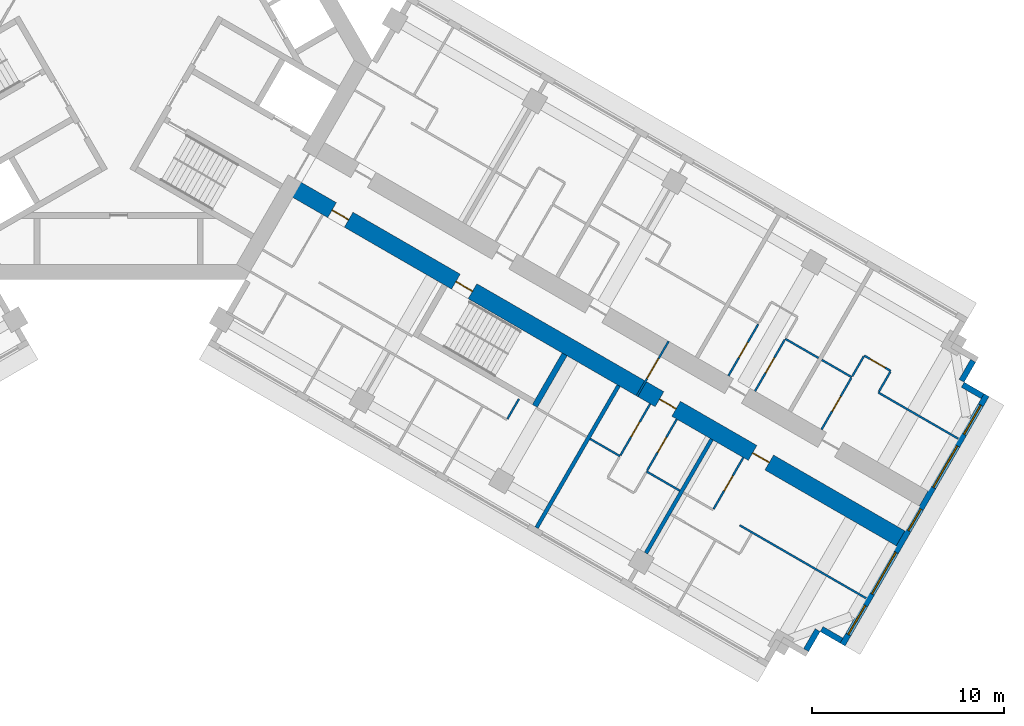
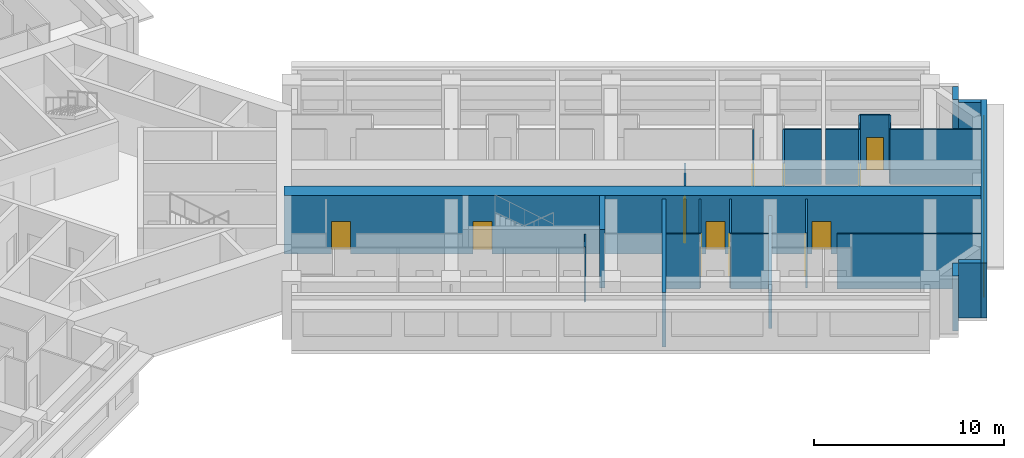
# One storey, part 11 of 15: 26 walls, 12 doors, 5 windows, 17 openings.
"""IFC4 building model written with IfcOpenShell, lengths in metres."""

from ifc_helpers import new_model, si_unit, direction, frame, frame_2d, origin, place, context, subcontext, project, spatial, rectangle, extrude, material, layer, layer_set, type_object, element, fill, save


model = new_model("IFC4")

# Units and contexts
model_context = context("Model", 3, precision=1e-05, world=origin(), true_north=direction((0.0, 1.0)))
body_context = subcontext(model_context, "Body", "Model", "MODEL_VIEW")
ifc_project = project(units=[si_unit("LENGTHUNIT", "METRE"), si_unit("AREAUNIT", "SQUARE_METRE"), si_unit("VOLUMEUNIT", "CUBIC_METRE"), si_unit("PLANEANGLEUNIT", "RADIAN"), si_unit("MASSUNIT", "GRAM", prefix="KILO")], contexts=[model_context])

# Site, building, storey
site_placement = place(None, origin())
site = spatial("IfcSite", under=ifc_project, at=site_placement, CompositionType="ELEMENT")
building_placement = place(site_placement, origin())
building = spatial("IfcBuilding", under=site, at=building_placement, Name="Impinga Residences", CompositionType="ELEMENT")
storey_placement = place(building_placement, frame((0.0, 0.0, 113.5)))
storey = spatial("IfcBuildingStorey", under=building, at=storey_placement, Name="L27", CompositionType="ELEMENT", Elevation=113.5)

# Wall, openings, doors
ifc_material_1 = material(Name="Concrete C60/75", Category="concrete")
ifc_layer_1 = layer(ifc_material_1, 0.89990234375)
ifc_layer_set_1 = layer_set([ifc_layer_1], Name="Concrete C60/75")
wall_type_1 = type_object("IfcWallType", Name="BW2 corridor buttress wall, L24 to L44 900", PredefinedType="SHEAR", material=ifc_layer_set_1)
wall_1_placement = place(storey_placement, frame((8.95361328125, -6.554931640625, 0.0), z_axis=(0.0, 0.0, 1.0), x_axis=(0.866024733898, -0.500001160275, 0.0)))
wall_1 = element("IfcWall", 1, at=wall_1_placement, inside=storey, type_object=wall_type_1, Name="Corridor wall BW2 ED L27", PredefinedType="SHEAR", context=body_context, shape_type="SweptSolid", body=[
    extrude(rectangle(XDim=36.7001953125, YDim=0.89990234375, at=frame_2d((18.35009765625, 0.0))), origin(), (0.0, 0.0, 1.0), 3.75),
])
opening_1_placement = place(wall_1_placement, frame((9.949951171875, 0.0, 0.0)))
opening_1 = element("IfcOpeningElement", 2, at=opening_1_placement, cuts=wall_1, Name="Opening D5", PredefinedType="OPENING", context=body_context, shape_type="SweptSolid", body=[
    extrude(rectangle(XDim=1.0, YDim=2.10009765625, at=frame_2d((0.5, 1.050048828125))), frame((0.0, 0.4599609375, 0.0), z_axis=(0.0, -1.0, 0.0), x_axis=(1.0, 0.0, 0.0)), (0.0, 0.0, 1.0), 0.919921875),
])
opening_2_placement = place(wall_1_placement, frame((2.5, 0.0, 0.0)))
opening_2 = element("IfcOpeningElement", 3, at=opening_2_placement, cuts=wall_1, Name="Opening D1", PredefinedType="OPENING", context=body_context, shape_type="SweptSolid", body=[
    extrude(rectangle(XDim=1.0, YDim=2.10009765625, at=frame_2d((0.5, 1.050048828125))), frame((0.0, 0.4599609375, 0.0), z_axis=(0.0, -1.0, 0.0), x_axis=(1.0, 0.0, 0.0)), (0.0, 0.0, 1.0), 0.919921875),
])
opening_3_placement = place(wall_1_placement, frame((22.199951171875, 0.0, 0.0)))
opening_3 = element("IfcOpeningElement", 4, at=opening_3_placement, cuts=wall_1, Name="Opening D1", PredefinedType="OPENING", context=body_context, shape_type="SweptSolid", body=[
    extrude(rectangle(XDim=1.0, YDim=2.10009765625, at=frame_2d((0.5, 1.050048828125))), frame((0.0, 0.4599609375, 0.0), z_axis=(0.0, -1.0, 0.0), x_axis=(1.0, 0.0, 0.0)), (0.0, 0.0, 1.0), 0.919921875),
])
opening_4_placement = place(wall_1_placement, frame((27.800048828125, 0.0, 0.0)))
opening_4 = element("IfcOpeningElement", 5, at=opening_4_placement, cuts=wall_1, Name="Opening D1", PredefinedType="OPENING", context=body_context, shape_type="SweptSolid", body=[
    extrude(rectangle(XDim=1.0, YDim=2.10009765625, at=frame_2d((0.5, 1.050048828125))), frame((0.0, 0.4599609375, 0.0), z_axis=(0.0, -1.0, 0.0), x_axis=(1.0, 0.0, 0.0)), (0.0, 0.0, 1.0), 0.919921875),
])
ifc_material_2 = material(Name="Timber door set", Category="wood")
door_type_1 = type_object("IfcDoorType", Name="D1 apartment entrance door 1000x2100", OperationType="SINGLE_SWING_LEFT", PredefinedType="DOOR", material=ifc_material_2)
door_1_placement = place(opening_2_placement, origin())
door_1 = element("IfcDoor", 6, at=door_1_placement, inside=storey, type_object=door_type_1, Name="Apartment L27-EF1 entrance", OperationType="SINGLE_SWING_LEFT", OverallHeight=2.10009765625, OverallWidth=1.0, PredefinedType="DOOR", context=body_context, shape_type="SweptSolid", body=[
    extrude(rectangle(XDim=1.0, YDim=2.10009765625, at=frame_2d((0.5, 1.050048828125))), frame((0.0, 0.02490234375, 0.0), z_axis=(0.0, -1.0, 0.0), x_axis=(1.0, 0.0, 0.0)), (0.0, 0.0, 1.0), 0.050048828125),
])
fill(opening_2, door_1)
door_2_placement = place(opening_3_placement, origin())
door_2 = element("IfcDoor", 7, at=door_2_placement, inside=storey, type_object=door_type_1, Name="Apartment L27-EF2 entrance", OperationType="SINGLE_SWING_RIGHT", OverallHeight=2.10009765625, OverallWidth=1.0, PredefinedType="DOOR", context=body_context, shape_type="SweptSolid", body=[
    extrude(rectangle(XDim=1.0, YDim=2.10009765625, at=frame_2d((0.5, 1.050048828125))), frame((0.0, 0.02490234375, 0.0), z_axis=(0.0, -1.0, 0.0), x_axis=(1.0, 0.0, 0.0)), (0.0, 0.0, 1.0), 0.050048828125),
])
fill(opening_3, door_2)
door_3_placement = place(opening_4_placement, origin())
door_3 = element("IfcDoor", 8, at=door_3_placement, inside=storey, type_object=door_type_1, Name="Apartment L27-EF3 entrance", OperationType="SINGLE_SWING_RIGHT", OverallHeight=2.10009765625, OverallWidth=1.0, PredefinedType="DOOR", context=body_context, shape_type="SweptSolid", body=[
    extrude(rectangle(XDim=1.0, YDim=2.10009765625, at=frame_2d((0.5, 1.050048828125))), frame((0.0, 0.02490234375, 0.0), z_axis=(0.0, -1.0, 0.0), x_axis=(1.0, 0.0, 0.0)), (0.0, 0.0, 1.0), 0.050048828125),
])
fill(opening_4, door_3)
door_type_2 = type_object("IfcDoorType", Name="D5 stair door 1000x2100", OperationType="SINGLE_SWING_LEFT", PredefinedType="DOOR", material=ifc_material_2)
door_4_placement = place(opening_1_placement, origin())
door_4 = element("IfcDoor", 9, at=door_4_placement, inside=storey, type_object=door_type_2, Name="Wing stair door E", OperationType="SINGLE_SWING_LEFT", OverallHeight=2.10009765625, OverallWidth=1.0, PredefinedType="DOOR", context=body_context, shape_type="SweptSolid", body=[
    extrude(rectangle(XDim=1.0, YDim=2.10009765625, at=frame_2d((0.5, 1.050048828125))), frame((0.0, 0.02490234375, 0.0), z_axis=(0.0, -1.0, 0.0), x_axis=(1.0, 0.0, 0.0)), (0.0, 0.0, 1.0), 0.050048828125),
])
fill(opening_1, door_4)

# Wall, opening, door
ifc_material_3 = material(Name="Concrete blockwork", Category="masonry")
ifc_layer_2 = layer(ifc_material_3, 0.10009765625)
ifc_layer_set_2 = layer_set([ifc_layer_2], Name="CP1 core room partition, blockwork 100")
wall_type_2 = type_object("IfcWallType", Name="CP1 core room partition, blockwork 100", PredefinedType="PARTITIONING", material=ifc_layer_set_2)
wall_2_placement = place(storey_placement, frame((28.652099609375, -14.636962890625, 0.0), z_axis=(0.0, 0.0, 1.0), x_axis=(-0.499974350878, -0.866040211805, 0.0)))
wall_2 = element("IfcWall", 10, at=wall_2_placement, inside=storey, type_object=wall_type_2, Name="Core room partition, blockwork L27:E:SCR", PredefinedType="PARTITIONING", context=body_context, shape_type="SweptSolid", body=[
    extrude(rectangle(XDim=3.300048828125, YDim=0.10009765625, at=frame_2d((1.64990234375, 0.0))), origin(), (0.0, 0.0, 1.0), 3.530029296875),
])
opening_5_placement = place(wall_2_placement, frame((1.050048828125, 0.0, 0.0)))
opening_5 = element("IfcOpeningElement", 11, at=opening_5_placement, cuts=wall_2, Name="Opening D3", PredefinedType="OPENING", context=body_context, shape_type="SweptSolid", body=[
    extrude(rectangle(XDim=1.199951171875, YDim=2.10009765625, at=frame_2d((0.60009765625, 1.050048828125))), frame((0.0, 0.06005859375, 0.0), z_axis=(0.0, -1.0, 0.0), x_axis=(1.0, 0.0, 0.0)), (0.0, 0.0, 1.0), 0.1201171875),
])
door_type_3 = type_object("IfcDoorType", Name="D3 room door, leaf and a half 1200x2100", OperationType="DOUBLE_SWING_LEFT", PredefinedType="DOOR", material=ifc_material_2)
door_5_placement = place(opening_5_placement, origin())
door_5 = element("IfcDoor", 12, at=door_5_placement, inside=storey, type_object=door_type_3, Name="Corridor smoke door E", OperationType="DOUBLE_SWING_LEFT", OverallHeight=2.10009765625, OverallWidth=1.199951171875, PredefinedType="DOOR", context=body_context, shape_type="SweptSolid", body=[
    extrude(rectangle(XDim=1.199951171875, YDim=2.10009765625, at=frame_2d((0.60009765625, 1.050048828125))), frame((0.0, 0.02490234375, 0.0), z_axis=(0.0, -1.0, 0.0), x_axis=(1.0, 0.0, 0.0)), (0.0, 0.0, 1.0), 0.050048828125),
])
fill(opening_5, door_5)

# Walls
ifc_material_4 = material(Name="Terracotta rainscreen on blockwork", Category="masonry")
ifc_layer_3 = layer(ifc_material_4, 0.300048828125)
ifc_layer_set_3 = layer_set([ifc_layer_3], Name="EW1 external wall, terracotta rainscreen on blockwork 300")
wall_type_3 = type_object("IfcWallType", Name="EW1 external wall, terracotta rainscreen on blockwork 300", PredefinedType="SOLIDWALL", material=ifc_layer_set_3)
wall_3_placement = place(storey_placement, frame((44.517578125, -15.65625, 0.0), z_axis=(0.0, 0.0, 1.0), x_axis=(-0.500033551112, -0.866006032174, 0.0)))
element("IfcWall", 13, at=wall_3_placement, inside=storey, type_object=wall_type_3, Name="External wall EW1 L27", PredefinedType="SOLIDWALL", context=body_context, shape_type="SweptSolid", body=[
    extrude(rectangle(XDim=1.2001953125, YDim=0.300048828125, at=frame_2d((0.60009765625, 0.0))), origin(), (0.0, 0.0, 1.0), 3.530029296875),
])
wall_4_placement = place(storey_placement, frame((43.976806640625, -16.903076171875, 0.0), z_axis=(0.0, 0.0, 1.0), x_axis=(0.866059708757, -0.499940577336, 0.0)))
element("IfcWall", 14, at=wall_4_placement, inside=storey, type_object=wall_type_3, Name="External wall EW1 L27", PredefinedType="SOLIDWALL", context=body_context, shape_type="SweptSolid", body=[
    extrude(rectangle(XDim=1.195068359375, YDim=0.300048828125, at=frame_2d((0.59765625, 0.0))), origin(), (0.0, 0.0, 1.0), 3.530029296875),
])

# Wall, openings, windows
wall_5_placement = place(storey_placement, frame((45.216552734375, -17.445556640625, 0.0), z_axis=(0.0, 0.0, 1.0), x_axis=(-0.499997186618, -0.866027028085, 0.0)))
wall_5 = element("IfcWall", 15, at=wall_5_placement, inside=storey, type_object=wall_type_3, Name="External wall EW1 L27", PredefinedType="SOLIDWALL", context=body_context, shape_type="SweptSolid", body=[
    extrude(rectangle(XDim=15.0, YDim=0.300048828125, at=frame_2d((7.5, 0.0))), origin(), (0.0, 0.0, 1.0), 3.530029296875),
])
opening_6_placement = place(wall_5_placement, frame((0.60009765625, 0.0, 0.89990234375)))
opening_6 = element("IfcOpeningElement", 16, at=opening_6_placement, cuts=wall_5, Name="Opening W1", PredefinedType="OPENING", context=body_context, shape_type="SweptSolid", body=[
    extrude(rectangle(XDim=1.75, YDim=2.050048828125, at=frame_2d((0.875, 1.02490234375))), frame((0.0, 0.159912109375, 0.0), z_axis=(0.0, -1.0, 0.0), x_axis=(1.0, 0.0, 0.0)), (0.0, 0.0, 1.0), 0.320068359375),
])
opening_7_placement = place(wall_5_placement, frame((3.050048828125, 0.0, 0.89990234375)))
opening_7 = element("IfcOpeningElement", 17, at=opening_7_placement, cuts=wall_5, Name="Opening W2", PredefinedType="OPENING", context=body_context, shape_type="SweptSolid", body=[
    extrude(rectangle(XDim=2.5, YDim=2.050048828125, at=frame_2d((1.25, 1.02490234375))), frame((0.0, 0.159912109375, 0.0), z_axis=(0.0, -1.0, 0.0), x_axis=(1.0, 0.0, 0.0)), (0.0, 0.0, 1.0), 0.320068359375),
])
opening_8_placement = place(wall_5_placement, frame((6.85009765625, 0.0, 0.89990234375)))
opening_8 = element("IfcOpeningElement", 18, at=opening_8_placement, cuts=wall_5, Name="Opening WE1", PredefinedType="OPENING", context=body_context, shape_type="SweptSolid", body=[
    extrude(rectangle(XDim=1.300048828125, YDim=2.050048828125, at=frame_2d((0.64990234375, 1.02490234375))), frame((0.0, 0.159912109375, 0.0), z_axis=(0.0, -1.0, 0.0), x_axis=(1.0, 0.0, 0.0)), (0.0, 0.0, 1.0), 0.320068359375),
])
opening_9_placement = place(wall_5_placement, frame((9.449951171875, 0.0, 0.89990234375)))
opening_9 = element("IfcOpeningElement", 19, at=opening_9_placement, cuts=wall_5, Name="Opening W2", PredefinedType="OPENING", context=body_context, shape_type="SweptSolid", body=[
    extrude(rectangle(XDim=2.5, YDim=2.050048828125, at=frame_2d((1.25, 1.02490234375))), frame((0.0, 0.159912109375, 0.0), z_axis=(0.0, -1.0, 0.0), x_axis=(1.0, 0.0, 0.0)), (0.0, 0.0, 1.0), 0.320068359375),
])
opening_10_placement = place(wall_5_placement, frame((12.64990234375, 0.0, 0.89990234375)))
opening_10 = element("IfcOpeningElement", 20, at=opening_10_placement, cuts=wall_5, Name="Opening W1", PredefinedType="OPENING", context=body_context, shape_type="SweptSolid", body=[
    extrude(rectangle(XDim=1.75, YDim=2.050048828125, at=frame_2d((0.875, 1.02490234375))), frame((0.0, 0.159912109375, 0.0), z_axis=(0.0, -1.0, 0.0), x_axis=(1.0, 0.0, 0.0)), (0.0, 0.0, 1.0), 0.320068359375),
])
ifc_material_5 = material(Name="Aluminium window, clear double glazing", Category="aluminium")
window_type_1 = type_object("IfcWindowType", Name="W1 ribbon window 1750x2050", PartitioningType="SINGLE_PANEL", PredefinedType="WINDOW", material=ifc_material_5)
window_1_placement = place(opening_6_placement, origin())
window_1 = element("IfcWindow", 21, at=window_1_placement, inside=storey, type_object=window_type_1, Name="Window L27", OverallHeight=2.050048828125, OverallWidth=1.75, PartitioningType="SINGLE_PANEL", PredefinedType="WINDOW", context=body_context, shape_type="SweptSolid", body=[
    extrude(rectangle(XDim=1.75, YDim=2.050048828125, at=frame_2d((0.875, 1.02490234375))), frame((0.0, 0.030029296875, 0.0), z_axis=(0.0, -1.0, 0.0), x_axis=(1.0, 0.0, 0.0)), (0.0, 0.0, 1.0), 0.06005859375),
])
fill(opening_6, window_1)
window_2_placement = place(opening_10_placement, origin())
window_2 = element("IfcWindow", 22, at=window_2_placement, inside=storey, type_object=window_type_1, Name="Window L27", OverallHeight=2.050048828125, OverallWidth=1.75, PartitioningType="SINGLE_PANEL", PredefinedType="WINDOW", context=body_context, shape_type="SweptSolid", body=[
    extrude(rectangle(XDim=1.75, YDim=2.050048828125, at=frame_2d((0.875, 1.02490234375))), frame((0.0, 0.030029296875, 0.0), z_axis=(0.0, -1.0, 0.0), x_axis=(1.0, 0.0, 0.0)), (0.0, 0.0, 1.0), 0.06005859375),
])
fill(opening_10, window_2)
window_type_2 = type_object("IfcWindowType", Name="W2 ribbon window 2500x2050", PartitioningType="SINGLE_PANEL", PredefinedType="WINDOW", material=ifc_material_5)
window_3_placement = place(opening_7_placement, origin())
window_3 = element("IfcWindow", 23, at=window_3_placement, inside=storey, type_object=window_type_2, Name="Window L27", OverallHeight=2.050048828125, OverallWidth=2.5, PartitioningType="SINGLE_PANEL", PredefinedType="WINDOW", context=body_context, shape_type="SweptSolid", body=[
    extrude(rectangle(XDim=2.5, YDim=2.050048828125, at=frame_2d((1.25, 1.02490234375))), frame((0.0, 0.030029296875, 0.0), z_axis=(0.0, -1.0, 0.0), x_axis=(1.0, 0.0, 0.0)), (0.0, 0.0, 1.0), 0.06005859375),
])
fill(opening_7, window_3)
window_4_placement = place(opening_9_placement, origin())
window_4 = element("IfcWindow", 24, at=window_4_placement, inside=storey, type_object=window_type_2, Name="Window L27", OverallHeight=2.050048828125, OverallWidth=2.5, PartitioningType="SINGLE_PANEL", PredefinedType="WINDOW", context=body_context, shape_type="SweptSolid", body=[
    extrude(rectangle(XDim=2.5, YDim=2.050048828125, at=frame_2d((1.25, 1.02490234375))), frame((0.0, 0.030029296875, 0.0), z_axis=(0.0, -1.0, 0.0), x_axis=(1.0, 0.0, 0.0)), (0.0, 0.0, 1.0), 0.06005859375),
])
fill(opening_9, window_4)
window_type_3 = type_object("IfcWindowType", Name="WE1 corridor window 1300x2050", PartitioningType="SINGLE_PANEL", PredefinedType="WINDOW", material=ifc_material_5)
window_5_placement = place(opening_8_placement, origin())
window_5 = element("IfcWindow", 25, at=window_5_placement, inside=storey, type_object=window_type_3, Name="Window L27", OverallHeight=2.050048828125, OverallWidth=1.300048828125, PartitioningType="SINGLE_PANEL", PredefinedType="WINDOW", context=body_context, shape_type="SweptSolid", body=[
    extrude(rectangle(XDim=1.300048828125, YDim=2.050048828125, at=frame_2d((0.64990234375, 1.02490234375))), frame((0.0, 0.030029296875, 0.0), z_axis=(0.0, -1.0, 0.0), x_axis=(1.0, 0.0, 0.0)), (0.0, 0.0, 1.0), 0.06005859375),
])
fill(opening_8, window_5)

# Walls
wall_6_placement = place(storey_placement, frame((37.66162109375, -30.23095703125, 0.0), z_axis=(0.0, 0.0, 1.0), x_axis=(-0.866059708757, 0.499940577336, 0.0)))
element("IfcWall", 26, at=wall_6_placement, inside=storey, type_object=wall_type_3, Name="External wall EW1 L27", PredefinedType="SOLIDWALL", context=body_context, shape_type="SweptSolid", body=[
    extrude(rectangle(XDim=1.195068359375, YDim=0.300048828125, at=frame_2d((0.59765625, 0.0))), origin(), (0.0, 0.0, 1.0), 3.530029296875),
])
wall_7_placement = place(storey_placement, frame((36.41748046875, -29.68603515625, 0.0), z_axis=(0.0, 0.0, 1.0), x_axis=(-0.499969057507, -0.866043267704, 0.0)))
element("IfcWall", 27, at=wall_7_placement, inside=storey, type_object=wall_type_3, Name="External wall EW1 L27", PredefinedType="SOLIDWALL", context=body_context, shape_type="SweptSolid", body=[
    extrude(rectangle(XDim=1.19970703125, YDim=0.300048828125, at=frame_2d((0.599853515625, 0.0))), origin(), (0.0, 0.0, 1.0), 3.530029296875),
])
ifc_material_6 = material(Name="Gypsum board on steel studs", Category="steel")
ifc_layer_4 = layer(ifc_material_6, 0.10009765625)
ifc_layer_set_4 = layer_set([ifc_layer_4], Name="Gypsum board on steel studs")
wall_type_4 = type_object("IfcWallType", Name="IP1 partition 100", PredefinedType="PARTITIONING", material=ifc_layer_set_4)
wall_8_placement = place(storey_placement, frame((34.72998046875, -14.5087890625, 0.0), z_axis=(0.0, 0.0, 1.0), x_axis=(0.866041268327, -0.499972520799, 0.0)))
element("IfcWall", 28, at=wall_8_placement, inside=storey, type_object=wall_type_4, Name="Partition L27-EA4:DIV1", PredefinedType="PARTITIONING", context=body_context, shape_type="SweptSolid", body=[
    extrude(rectangle(XDim=2.0, YDim=0.10009765625, at=frame_2d((1.0, 0.0))), origin(), (0.0, 0.0, 1.0), 3.530029296875),
])

# Wall, opening, door
wall_9_placement = place(storey_placement, frame((31.76953125, -16.436767578125, 0.0), z_axis=(0.0, 0.0, 1.0), x_axis=(0.499967891604, 0.866043940782, 0.0)))
wall_9 = element("IfcWall", 29, at=wall_9_placement, inside=storey, type_object=wall_type_4, Name="Partition L27-EA4:IB1", PredefinedType="PARTITIONING", context=body_context, shape_type="SweptSolid", body=[
    extrude(rectangle(XDim=3.099853515625, YDim=0.10009765625, at=frame_2d((1.5498046875, 0.0))), origin(), (0.0, 0.0, 1.0), 3.530029296875),
])
opening_11_placement = place(wall_9_placement, frame((1.10009765625, 0.0, 0.0)))
opening_11 = element("IfcOpeningElement", 30, at=opening_11_placement, cuts=wall_9, Name="Opening D2", PredefinedType="OPENING", context=body_context, shape_type="SweptSolid", body=[
    extrude(rectangle(XDim=0.89990234375, YDim=2.10009765625, at=frame_2d((0.449951171875, 1.050048828125))), frame((0.0, 0.06005859375, 0.0), z_axis=(0.0, -1.0, 0.0), x_axis=(1.0, 0.0, 0.0)), (0.0, 0.0, 1.0), 0.1201171875),
])
door_type_4 = type_object("IfcDoorType", Name="D2 internal door 900x2100", OperationType="SINGLE_SWING_LEFT", PredefinedType="DOOR", material=ifc_material_2)
door_6_placement = place(opening_11_placement, origin())
door_6 = element("IfcDoor", 31, at=door_6_placement, inside=storey, type_object=door_type_4, Name="Apartment L27-EA4 bathroom door", OperationType="SINGLE_SWING_LEFT", OverallHeight=2.10009765625, OverallWidth=0.89990234375, PredefinedType="DOOR", context=body_context, shape_type="SweptSolid", body=[
    extrude(rectangle(XDim=0.89990234375, YDim=2.10009765625, at=frame_2d((0.449951171875, 1.050048828125))), frame((0.0, 0.02490234375, 0.0), z_axis=(0.0, -1.0, 0.0), x_axis=(1.0, 0.0, 0.0)), (0.0, 0.0, 1.0), 0.050048828125),
])
fill(opening_11, door_6)

wall_10_placement = place(storey_placement, frame((33.155029296875, -17.23681640625, 0.0), z_axis=(0.0, 0.0, 1.0), x_axis=(0.500026960575, 0.86600983753, 0.0)))
wall_10 = element("IfcWall", 32, at=wall_10_placement, inside=storey, type_object=wall_type_4, Name="Partition L27-EA4:IB2", PredefinedType="PARTITIONING", context=body_context, shape_type="SweptSolid", body=[
    extrude(rectangle(XDim=3.099853515625, YDim=0.10009765625, at=frame_2d((1.5498046875, 0.0))), origin(), (0.0, 0.0, 1.0), 3.530029296875),
])
opening_12_placement = place(wall_10_placement, frame((1.10009765625, 0.0, 0.0)))
opening_12 = element("IfcOpeningElement", 33, at=opening_12_placement, cuts=wall_10, Name="Opening D2", PredefinedType="OPENING", context=body_context, shape_type="SweptSolid", body=[
    extrude(rectangle(XDim=0.89990234375, YDim=2.10009765625, at=frame_2d((0.449951171875, 1.050048828125))), frame((0.0, 0.06005859375, 0.0), z_axis=(0.0, -1.0, 0.0), x_axis=(1.0, 0.0, 0.0)), (0.0, 0.0, 1.0), 0.1201171875),
])
door_7_placement = place(opening_12_placement, origin())
door_7 = element("IfcDoor", 34, at=door_7_placement, inside=storey, type_object=door_type_4, Name="Apartment L27-EA4 WC door", OperationType="SINGLE_SWING_LEFT", OverallHeight=2.10009765625, OverallWidth=0.89990234375, PredefinedType="DOOR", context=body_context, shape_type="SweptSolid", body=[
    extrude(rectangle(XDim=0.89990234375, YDim=2.10009765625, at=frame_2d((0.449951171875, 1.050048828125))), frame((0.0, 0.02490234375, 0.0), z_axis=(0.0, -1.0, 0.0), x_axis=(1.0, 0.0, 0.0)), (0.0, 0.0, 1.0), 0.050048828125),
])
fill(opening_12, door_7)

# Walls
wall_11_placement = place(storey_placement, frame((36.63525390625, -15.60888671875, 0.0), z_axis=(0.0, 0.0, 1.0), x_axis=(0.866047807691, -0.499961193289, 0.0)))
element("IfcWall", 35, at=wall_11_placement, inside=storey, type_object=wall_type_4, Name="Partition L27-EA5:DIV0", PredefinedType="PARTITIONING", context=body_context, shape_type="SweptSolid", body=[
    extrude(rectangle(XDim=1.800048828125, YDim=0.10009765625, at=frame_2d((0.89990234375, 0.0))), origin(), (0.0, 0.0, 1.0), 3.530029296875),
])
wall_12_placement = place(storey_placement, frame((39.579833984375, -17.308837890625, 0.0), z_axis=(0.0, 0.0, 1.0), x_axis=(0.866037363387, -0.499979284789, 0.0)))
element("IfcWall", 36, at=wall_12_placement, inside=storey, type_object=wall_type_4, Name="Partition L27-EA5:DIV1", PredefinedType="PARTITIONING", context=body_context, shape_type="SweptSolid", body=[
    extrude(rectangle(XDim=4.800048828125, YDim=0.10009765625, at=frame_2d((2.39990234375, 0.0))), origin(), (0.0, 0.0, 1.0), 3.530029296875),
])

# Wall, opening, door
wall_13_placement = place(storey_placement, frame((38.84423828125, -15.383056640625, 0.0), z_axis=(0.0, 0.0, 1.0), x_axis=(0.865989903783, -0.500061482766, 0.0)))
wall_13 = element("IfcWall", 37, at=wall_13_placement, inside=storey, type_object=wall_type_4, Name="Partition L27-EA5:STRIP", PredefinedType="PARTITIONING", context=body_context, shape_type="SweptSolid", body=[
    extrude(rectangle(XDim=1.599853515625, YDim=0.10009765625, at=frame_2d((0.7998046875, 0.0))), origin(), (0.0, 0.0, 1.0), 3.530029296875),
])
opening_13_placement = place(wall_13_placement, frame((0.35009765625, 0.0, 0.0)))
opening_13 = element("IfcOpeningElement", 38, at=opening_13_placement, cuts=wall_13, Name="Opening D2", PredefinedType="OPENING", context=body_context, shape_type="SweptSolid", body=[
    extrude(rectangle(XDim=0.89990234375, YDim=2.10009765625, at=frame_2d((0.449951171875, 1.050048828125))), frame((0.0, 0.06005859375, 0.0), z_axis=(0.0, -1.0, 0.0), x_axis=(1.0, 0.0, 0.0)), (0.0, 0.0, 1.0), 0.1201171875),
])
door_8_placement = place(opening_13_placement, origin())
door_8 = element("IfcDoor", 39, at=door_8_placement, inside=storey, type_object=door_type_4, Name="Apartment L27-EA5 room door", OperationType="SINGLE_SWING_LEFT", OverallHeight=2.10009765625, OverallWidth=0.89990234375, PredefinedType="DOOR", context=body_context, shape_type="SweptSolid", body=[
    extrude(rectangle(XDim=0.89990234375, YDim=2.10009765625, at=frame_2d((0.449951171875, 1.050048828125))), frame((0.0, 0.02490234375, 0.0), z_axis=(0.0, -1.0, 0.0), x_axis=(1.0, 0.0, 0.0)), (0.0, 0.0, 1.0), 0.050048828125),
])
fill(opening_13, door_8)

# Walls
wall_14_placement = place(storey_placement, frame((38.21923828125, -16.465576171875, 0.0), z_axis=(0.0, 0.0, 1.0), x_axis=(0.499880961361, 0.866094119867, 0.0)))
element("IfcWall", 40, at=wall_14_placement, inside=storey, type_object=wall_type_4, Name="Partition L27-EA5:SE0", PredefinedType="PARTITIONING", context=body_context, shape_type="SweptSolid", body=[
    extrude(rectangle(XDim=1.199951171875, YDim=0.10009765625, at=frame_2d((0.60009765625, 0.0))), origin(), (0.0, 0.0, 1.0), 3.530029296875),
])
wall_15_placement = place(storey_placement, frame((39.604736328125, -17.265625, 0.0), z_axis=(0.0, 0.0, 1.0), x_axis=(0.500033551112, 0.866006032174, 0.0)))
element("IfcWall", 41, at=wall_15_placement, inside=storey, type_object=wall_type_4, Name="Partition L27-EA5:SE1", PredefinedType="PARTITIONING", context=body_context, shape_type="SweptSolid", body=[
    extrude(rectangle(XDim=1.2001953125, YDim=0.10009765625, at=frame_2d((0.60009765625, 0.0))), origin(), (0.0, 0.0, 1.0), 3.530029296875),
])

# Wall, opening, door
wall_16_placement = place(storey_placement, frame((36.619140625, -19.23681640625, 0.0), z_axis=(0.0, 0.0, 1.0), x_axis=(0.500026960575, 0.86600983753, 0.0)))
wall_16 = element("IfcWall", 42, at=wall_16_placement, inside=storey, type_object=wall_type_4, Name="Partition L27-EA5:IB1", PredefinedType="PARTITIONING", context=body_context, shape_type="SweptSolid", body=[
    extrude(rectangle(XDim=3.099853515625, YDim=0.10009765625, at=frame_2d((1.5498046875, 0.0))), origin(), (0.0, 0.0, 1.0), 3.530029296875),
])
opening_14_placement = place(wall_16_placement, frame((1.10009765625, 0.0, 0.0)))
opening_14 = element("IfcOpeningElement", 43, at=opening_14_placement, cuts=wall_16, Name="Opening D2", PredefinedType="OPENING", context=body_context, shape_type="SweptSolid", body=[
    extrude(rectangle(XDim=0.89990234375, YDim=2.10009765625, at=frame_2d((0.449951171875, 1.050048828125))), frame((0.0, 0.06005859375, 0.0), z_axis=(0.0, -1.0, 0.0), x_axis=(1.0, 0.0, 0.0)), (0.0, 0.0, 1.0), 0.1201171875),
])
door_9_placement = place(opening_14_placement, origin())
door_9 = element("IfcDoor", 44, at=door_9_placement, inside=storey, type_object=door_type_4, Name="Apartment L27-EA5 bathroom door", OperationType="SINGLE_SWING_LEFT", OverallHeight=2.10009765625, OverallWidth=0.89990234375, PredefinedType="DOOR", context=body_context, shape_type="SweptSolid", body=[
    extrude(rectangle(XDim=0.89990234375, YDim=2.10009765625, at=frame_2d((0.449951171875, 1.050048828125))), frame((0.0, 0.02490234375, 0.0), z_axis=(0.0, -1.0, 0.0), x_axis=(1.0, 0.0, 0.0)), (0.0, 0.0, 1.0), 0.050048828125),
])
fill(opening_14, door_9)

# Walls
wall_17_placement = place(storey_placement, frame((20.85498046875, -17.640869140625, 0.0), z_axis=(0.0, 0.0, 1.0), x_axis=(-0.499880961361, -0.866094119867, 0.0)))
element("IfcWall", 45, at=wall_17_placement, inside=storey, type_object=wall_type_4, Name="Partition L27-EF1:SE1", PredefinedType="PARTITIONING", context=body_context, shape_type="SweptSolid", body=[
    extrude(rectangle(XDim=1.199951171875, YDim=0.10009765625, at=frame_2d((0.60009765625, 0.0))), origin(), (0.0, 0.0, 1.0), 3.530029296875),
])
wall_18_placement = place(storey_placement, frame((24.560791015625, -19.72265625, 0.0), z_axis=(0.0, 0.0, 1.0), x_axis=(0.865989075817, -0.500062916607, 0.0)))
element("IfcWall", 46, at=wall_18_placement, inside=storey, type_object=wall_type_4, Name="Partition L27-EF2:DIV0", PredefinedType="PARTITIONING", context=body_context, shape_type="SweptSolid", body=[
    extrude(rectangle(XDim=1.800048828125, YDim=0.10009765625, at=frame_2d((0.89990234375, 0.0))), origin(), (0.0, 0.0, 1.0), 3.530029296875),
])
wall_19_placement = place(storey_placement, frame((27.505126953125, -21.422607421875, 0.0), z_axis=(0.0, 0.0, 1.0), x_axis=(0.866041268327, -0.499972520799, 0.0)))
element("IfcWall", 47, at=wall_19_placement, inside=storey, type_object=wall_type_4, Name="Partition L27-EF2:DIV1", PredefinedType="PARTITIONING", context=body_context, shape_type="SweptSolid", body=[
    extrude(rectangle(XDim=2.0, YDim=0.10009765625, at=frame_2d((1.0, 0.0))), origin(), (0.0, 0.0, 1.0), 3.530029296875),
])

# Wall, opening, door
wall_20_placement = place(storey_placement, frame((27.694580078125, -17.894775390625, 0.0), z_axis=(0.0, 0.0, 1.0), x_axis=(-0.500026960575, -0.86600983753, 0.0)))
wall_20 = element("IfcWall", 48, at=wall_20_placement, inside=storey, type_object=wall_type_4, Name="Partition L27-EF2:IB1", PredefinedType="PARTITIONING", context=body_context, shape_type="SweptSolid", body=[
    extrude(rectangle(XDim=3.099853515625, YDim=0.10009765625, at=frame_2d((1.5498046875, 0.0))), origin(), (0.0, 0.0, 1.0), 3.530029296875),
])
opening_15_placement = place(wall_20_placement, frame((1.10009765625, 0.0, 0.0)))
opening_15 = element("IfcOpeningElement", 49, at=opening_15_placement, cuts=wall_20, Name="Opening D2", PredefinedType="OPENING", context=body_context, shape_type="SweptSolid", body=[
    extrude(rectangle(XDim=0.89990234375, YDim=2.10009765625, at=frame_2d((0.449951171875, 1.050048828125))), frame((0.0, 0.06005859375, 0.0), z_axis=(0.0, -1.0, 0.0), x_axis=(1.0, 0.0, 0.0)), (0.0, 0.0, 1.0), 0.1201171875),
])
door_10_placement = place(opening_15_placement, origin())
door_10 = element("IfcDoor", 50, at=door_10_placement, inside=storey, type_object=door_type_4, Name="Apartment L27-EF2 bathroom door", OperationType="SINGLE_SWING_LEFT", OverallHeight=2.10009765625, OverallWidth=0.89990234375, PredefinedType="DOOR", context=body_context, shape_type="SweptSolid", body=[
    extrude(rectangle(XDim=0.89990234375, YDim=2.10009765625, at=frame_2d((0.449951171875, 1.050048828125))), frame((0.0, 0.02490234375, 0.0), z_axis=(0.0, -1.0, 0.0), x_axis=(1.0, 0.0, 0.0)), (0.0, 0.0, 1.0), 0.050048828125),
])
fill(opening_15, door_10)

wall_21_placement = place(storey_placement, frame((29.080078125, -18.69482421875, 0.0), z_axis=(0.0, 0.0, 1.0), x_axis=(-0.499967891604, -0.866043940782, 0.0)))
wall_21 = element("IfcWall", 51, at=wall_21_placement, inside=storey, type_object=wall_type_4, Name="Partition L27-EF2:IB2", PredefinedType="PARTITIONING", context=body_context, shape_type="SweptSolid", body=[
    extrude(rectangle(XDim=3.099853515625, YDim=0.10009765625, at=frame_2d((1.5498046875, 0.0))), origin(), (0.0, 0.0, 1.0), 3.530029296875),
])
opening_16_placement = place(wall_21_placement, frame((1.10009765625, 0.0, 0.0)))
opening_16 = element("IfcOpeningElement", 52, at=opening_16_placement, cuts=wall_21, Name="Opening D2", PredefinedType="OPENING", context=body_context, shape_type="SweptSolid", body=[
    extrude(rectangle(XDim=0.89990234375, YDim=2.10009765625, at=frame_2d((0.449951171875, 1.050048828125))), frame((0.0, 0.06005859375, 0.0), z_axis=(0.0, -1.0, 0.0), x_axis=(1.0, 0.0, 0.0)), (0.0, 0.0, 1.0), 0.1201171875),
])
door_11_placement = place(opening_16_placement, origin())
door_11 = element("IfcDoor", 53, at=door_11_placement, inside=storey, type_object=door_type_4, Name="Apartment L27-EF2 WC door", OperationType="SINGLE_SWING_LEFT", OverallHeight=2.10009765625, OverallWidth=0.89990234375, PredefinedType="DOOR", context=body_context, shape_type="SweptSolid", body=[
    extrude(rectangle(XDim=0.89990234375, YDim=2.10009765625, at=frame_2d((0.449951171875, 1.050048828125))), frame((0.0, 0.02490234375, 0.0), z_axis=(0.0, -1.0, 0.0), x_axis=(1.0, 0.0, 0.0)), (0.0, 0.0, 1.0), 0.050048828125),
])
fill(opening_16, door_11)

# Wall
wall_22_placement = place(storey_placement, frame((32.35498046875, -24.22265625, 0.0), z_axis=(0.0, 0.0, 1.0), x_axis=(0.866022425744, -0.500005158081, 0.0)))
element("IfcWall", 54, at=wall_22_placement, inside=storey, type_object=wall_type_4, Name="Partition L27-EF3:DIV1", PredefinedType="PARTITIONING", context=body_context, shape_type="SweptSolid", body=[
    extrude(rectangle(XDim=7.60009765625, YDim=0.10009765625, at=frame_2d((3.800048828125, 0.0))), origin(), (0.0, 0.0, 1.0), 3.530029296875),
])

# Wall, opening, door
wall_23_placement = place(storey_placement, frame((32.544189453125, -20.69482421875, 0.0), z_axis=(0.0, 0.0, 1.0), x_axis=(-0.499967891604, -0.866043940782, 0.0)))
wall_23 = element("IfcWall", 55, at=wall_23_placement, inside=storey, type_object=wall_type_4, Name="Partition L27-EF3:IB1", PredefinedType="PARTITIONING", context=body_context, shape_type="SweptSolid", body=[
    extrude(rectangle(XDim=3.099853515625, YDim=0.10009765625, at=frame_2d((1.5498046875, 0.0))), origin(), (0.0, 0.0, 1.0), 3.530029296875),
])
opening_17_placement = place(wall_23_placement, frame((1.10009765625, 0.0, 0.0)))
opening_17 = element("IfcOpeningElement", 56, at=opening_17_placement, cuts=wall_23, Name="Opening D2", PredefinedType="OPENING", context=body_context, shape_type="SweptSolid", body=[
    extrude(rectangle(XDim=0.89990234375, YDim=2.10009765625, at=frame_2d((0.449951171875, 1.050048828125))), frame((0.0, 0.06005859375, 0.0), z_axis=(0.0, -1.0, 0.0), x_axis=(1.0, 0.0, 0.0)), (0.0, 0.0, 1.0), 0.1201171875),
])
door_12_placement = place(opening_17_placement, origin())
door_12 = element("IfcDoor", 57, at=door_12_placement, inside=storey, type_object=door_type_4, Name="Apartment L27-EF3 bathroom door", OperationType="SINGLE_SWING_LEFT", OverallHeight=2.10009765625, OverallWidth=0.89990234375, PredefinedType="DOOR", context=body_context, shape_type="SweptSolid", body=[
    extrude(rectangle(XDim=0.89990234375, YDim=2.10009765625, at=frame_2d((0.449951171875, 1.050048828125))), frame((0.0, 0.02490234375, 0.0), z_axis=(0.0, -1.0, 0.0), x_axis=(1.0, 0.0, 0.0)), (0.0, 0.0, 1.0), 0.050048828125),
])
fill(opening_17, door_12)

# Walls
ifc_layer_5 = layer(ifc_material_3, 0.199951171875)
ifc_layer_set_5 = layer_set([ifc_layer_5], Name="PW1 party wall between apartments 200")
wall_type_5 = type_object("IfcWallType", Name="PW1 party wall between apartments 200", PredefinedType="SOLIDWALL", material=ifc_layer_set_5)
wall_24_placement = place(storey_placement, frame((26.049072265625, -16.94482421875, 0.0), z_axis=(0.0, 0.0, 1.0), x_axis=(-0.500002592159, -0.866023907196, 0.0)))
element("IfcWall", 58, at=wall_24_placement, inside=storey, type_object=wall_type_5, Name="Party wall between apartments L27-EF1:PARTY", PredefinedType="SOLIDWALL", context=body_context, shape_type="SweptSolid", body=[
    extrude(rectangle(XDim=8.5498046875, YDim=0.199951171875, at=frame_2d((4.27490234375, 0.0))), origin(), (0.0, 0.0, 1.0), 3.530029296875),
])
wall_25_placement = place(storey_placement, frame((30.89892578125, -19.74462890625, 0.0), z_axis=(0.0, 0.0, 1.0), x_axis=(-0.499999086063, -0.866025931445, 0.0)))
element("IfcWall", 59, at=wall_25_placement, inside=storey, type_object=wall_type_5, Name="Party wall between apartments L27-EF2:PARTY", PredefinedType="SOLIDWALL", context=body_context, shape_type="SweptSolid", body=[
    extrude(rectangle(XDim=6.85009765625, YDim=0.199951171875, at=frame_2d((3.425048828125, 0.0))), origin(), (0.0, 0.0, 1.0), 2.47998046875),
])
ifc_layer_6 = layer(ifc_material_1, 0.300048828125)
ifc_layer_set_6 = layer_set([ifc_layer_6], Name="Concrete C60/75")
wall_type_6 = type_object("IfcWallType", Name="SE1 wing stair enclosure wall 300", PredefinedType="SOLIDWALL", material=ifc_layer_set_6)
wall_26_placement = place(storey_placement, frame((23.234619140625, -15.31982421875, 0.0), z_axis=(0.0, 0.0, 1.0), x_axis=(-0.500026960575, -0.86600983753, 0.0)))
element("IfcWall", 60, at=wall_26_placement, inside=storey, type_object=wall_type_6, Name="Stair enclosure wall SE1 E END1 L27", PredefinedType="SOLIDWALL", context=body_context, shape_type="SweptSolid", body=[
    extrude(rectangle(XDim=3.099853515625, YDim=0.300048828125, at=frame_2d((1.5498046875, 0.0))), origin(), (0.0, 0.0, 1.0), 3.75),
])

save(model, "model.ifc")
